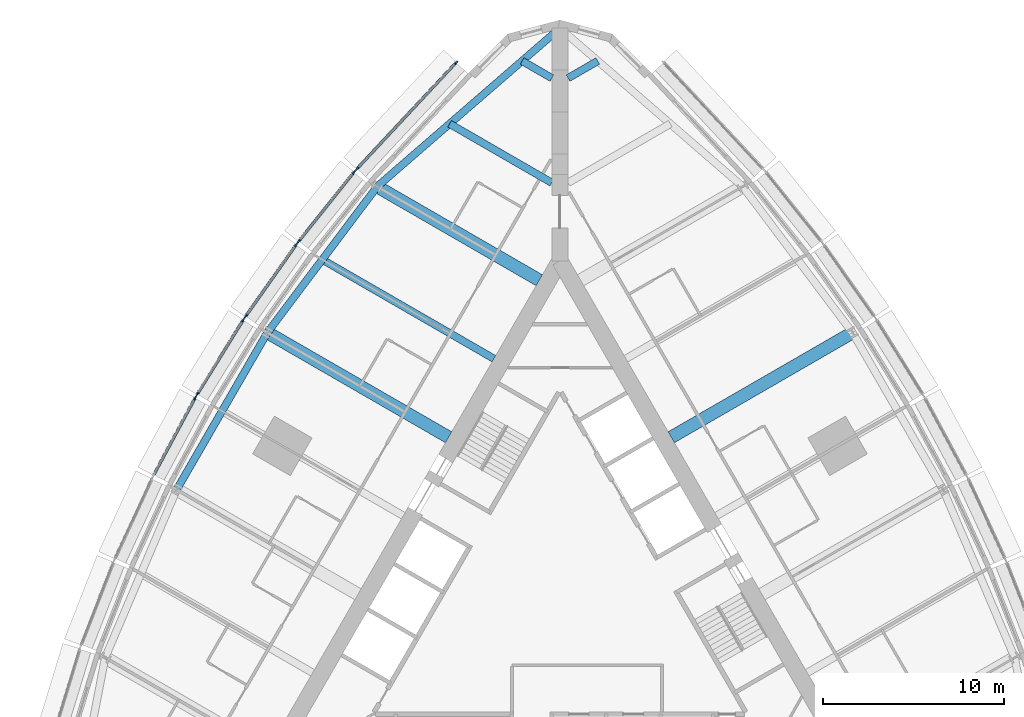
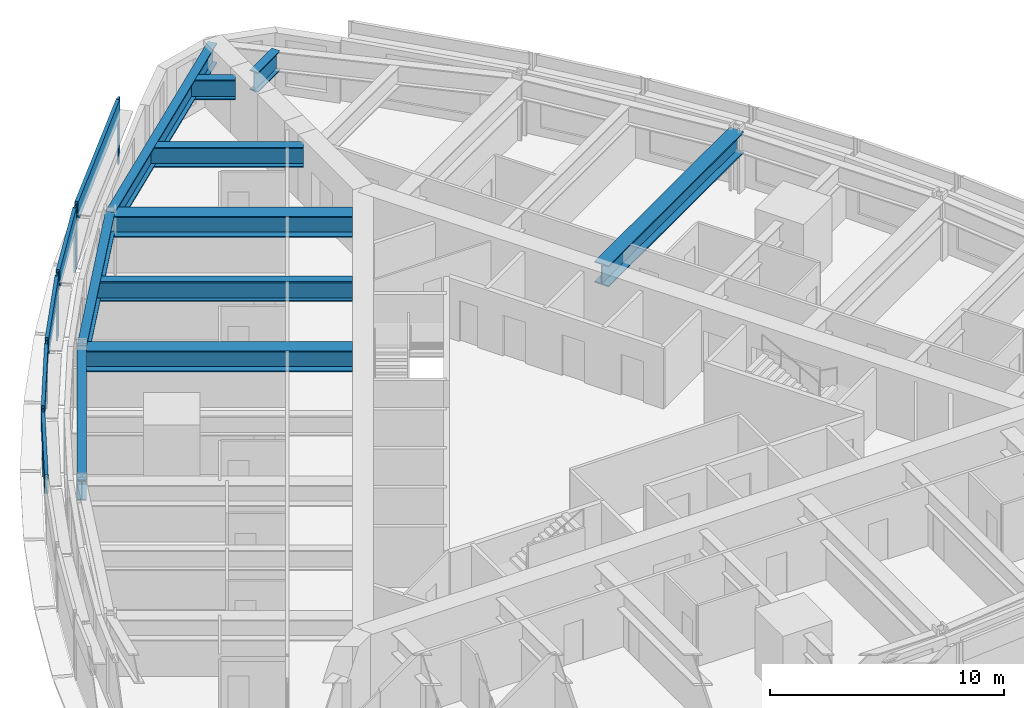
# One storey, part 4 of 14: 14 members, 10 beams, 5 elements without a shape of their own.
"""IFC4 building model written with IfcOpenShell, lengths in metres."""

import ifcopenshell
import ifcopenshell.guid

model = None  # the IFC model being written
_history = None  # IfcOwnerHistory: only IFC2X3 demands one
_inside = {}  # id of a spatial element -> (the spatial element, [elements in it])
_under = {}  # id of a project, library or spatial element -> (it, [spatial elements below it])
_declared = {}  # id of a project -> (the project, [libraries it declares])
_typed = {}  # id of a type object -> (the type object, [elements of that type])
_made_of = {}  # id of a material, layer set ... -> (it, [elements and type objects made of it])


def new_model(schema):
    """Start an empty IFC model of exactly this schema.

    Asked for "IFC4X3", IfcOpenShell would pick the latest addendum, in which some entities
    have other attributes; the version numbers below select the first issue.
    IFC2X3 requires an IfcOwnerHistory on every rooted entity: one is made here for all.
    """
    global model, _history
    if schema == "IFC4X3":
        model = ifcopenshell.file(schema_version=(4, 3, 0, 0))
    else:
        model = ifcopenshell.file(schema=schema)
    _inside.clear()
    _under.clear()
    _declared.clear()
    _typed.clear()
    _made_of.clear()
    _history = None
    if model.schema == "IFC2X3":
        org = make("IfcOrganization", Name="unknown")
        user = make(
            "IfcPersonAndOrganization",
            ThePerson=make("IfcPerson", FamilyName="unknown"),
            TheOrganization=org,
        )
        app = make(
            "IfcApplication",
            ApplicationDeveloper=org,
            Version="unknown",
            ApplicationFullName="unknown",
            ApplicationIdentifier="unknown",
        )
        _history = make(
            "IfcOwnerHistory",
            OwningUser=user,
            OwningApplication=app,
            ChangeAction="ADDED",
            CreationDate=0,
        )
    return model


def make(cls, **values):
    """One entity of the class cls with the attributes given. An attribute that is None is left unset."""
    return model.create_entity(
        cls, **{name: value for name, value in values.items() if value is not None}
    )


def rooted(cls, **values):
    """An entity with a GlobalId (a new one), such as an element, a storey or a relation."""
    return make(cls, GlobalId=ifcopenshell.guid.new(), OwnerHistory=_history, **values)


def si_unit(unit_type, name, prefix=None):
    """IfcSIUnit, for example si_unit("LENGTHUNIT", "METRE", prefix="MILLI")."""
    return make("IfcSIUnit", UnitType=unit_type, Prefix=prefix, Name=name)


def assignment(units):
    """IfcUnitAssignment: the units of a project."""
    return None if units is None else make("IfcUnitAssignment", Units=units)


def point(xyz):
    """IfcCartesianPoint."""
    return None if xyz is None else make("IfcCartesianPoint", Coordinates=xyz)


def direction(xyz):
    """IfcDirection."""
    return None if xyz is None else make("IfcDirection", DirectionRatios=xyz)


def frame(location, z_axis=None, x_axis=None):
    """IfcAxis2Placement3D, a coordinate frame: its origin and axes. An axis left out is left unset."""
    return make(
        "IfcAxis2Placement3D",
        Location=point(location),
        Axis=direction(z_axis),
        RefDirection=direction(x_axis),
    )


def frame_2d(location, x_axis=None):
    """IfcAxis2Placement2D, a coordinate frame in the plane: its origin and x axis."""
    return make(
        "IfcAxis2Placement2D", Location=point(location), RefDirection=direction(x_axis)
    )


def origin():
    """The frame at (0, 0, 0) with its axes left unset."""
    return frame((0.0, 0.0, 0.0))


def origin_2d():
    """The frame at (0, 0) in the plane with its x axis left unset."""
    return frame_2d((0.0, 0.0))


def place(relative_to, where):
    """IfcLocalPlacement: puts the frame where relative to a parent placement (None: the world)."""
    return make(
        "IfcLocalPlacement", PlacementRelTo=relative_to, RelativePlacement=where
    )


def context(
    kind, dimensions, precision=None, world=None, true_north=None, identifier=None
):
    """IfcGeometricRepresentationContext, for example the 3D "Model" context."""
    return make(
        "IfcGeometricRepresentationContext",
        ContextIdentifier=identifier,
        ContextType=kind,
        CoordinateSpaceDimension=dimensions,
        Precision=precision,
        WorldCoordinateSystem=world,
        TrueNorth=true_north,
    )


def subcontext(parent, identifier, kind, view, scale=None):
    """IfcGeometricRepresentationSubContext, for example "Body" below "Model"."""
    return make(
        "IfcGeometricRepresentationSubContext",
        ContextIdentifier=identifier,
        ContextType=kind,
        ParentContext=parent,
        TargetScale=scale,
        TargetView=view,
    )


def project(units=None, contexts=None):
    """IfcProject with its units and contexts."""
    return rooted(
        "IfcProject",
        Name="project",
        RepresentationContexts=contexts,
        UnitsInContext=assignment(units),
    )


def spatial(cls, under=None, at=None, **own):
    """A site, building, storey or space (cls), placed at a placement, below another one or the project."""
    s = rooted(cls, ObjectPlacement=at, **own)
    if under is not None:
        _under.setdefault(under.id(), (under, []))[1].append(s)
    return s


def profile(cls, at=None, kind="AREA", **sizes):
    """A parametric profile (cls). Its sizes go by their IFC names, for example OverallWidth=200.0."""
    return make(cls, ProfileType=kind, Position=at, **sizes)


def rectangle(**sizes):
    """IfcRectangleProfileDef."""
    return profile("IfcRectangleProfileDef", **sizes)


def i_section(**sizes):
    """IfcIShapeProfileDef."""
    return profile("IfcIShapeProfileDef", **sizes)


def extrude(swept, where, along, depth):
    """IfcExtrudedAreaSolid: the profile swept, set in the frame where, extruded along a direction by depth."""
    return make(
        "IfcExtrudedAreaSolid",
        SweptArea=swept,
        Position=where,
        ExtrudedDirection=direction(along),
        Depth=depth,
    )


def shape(context_of_items, identifier, shape_type, items):
    """IfcShapeRepresentation: the items that make up one representation, for example the "Body"."""
    return make(
        "IfcShapeRepresentation",
        ContextOfItems=context_of_items,
        RepresentationIdentifier=identifier,
        RepresentationType=shape_type,
        Items=items,
    )


def material(Name=None, Category=None):
    """IfcMaterial."""
    return make("IfcMaterial", Name=Name, Category=Category)


def material_profile(
    of_material, cross_section, Name=None, Category=None, Priority=None
):
    """IfcMaterialProfile: a cross section and its material."""
    return make(
        "IfcMaterialProfile",
        Name=Name,
        Material=of_material,
        Profile=cross_section,
        Priority=Priority,
        Category=Category,
    )


def profile_set(profiles, Name=None, composite=None):
    """IfcMaterialProfileSet."""
    return make(
        "IfcMaterialProfileSet",
        Name=Name,
        MaterialProfiles=profiles,
        CompositeProfile=composite,
    )


def made_of(thing, what):
    """Note that an element or type object is made of a material, layer set ...; save() writes the relation."""
    if what is not None:
        _made_of.setdefault(what.id(), (what, []))[1].append(thing)
    return thing


def type_object(cls, material=None, **own):
    """A type object (cls), such as IfcWallType, which elements share."""
    return made_of(rooted(cls, **own), material)


def element(
    cls,
    number,
    at=None,
    inside=None,
    cuts=None,
    type_object=None,
    material=None,
    context=None,
    identifier="Body",
    shape_type=None,
    held_by="IfcProductDefinitionShape",
    body=None,
    shapes=None,
    **own,
):
    """One element of the class cls, such as IfcWall. Its Tag is "e" and its number.

    at: its placement. inside: the storey or other place that contains it. cuts: it is an
    opening in that element (IfcRelVoidsElement). A single representation is given by context,
    identifier, shape_type and body (its items); several are given by shapes. held_by: the class
    of the entity that holds the representations. save() writes the other relations.
    """
    e = rooted(cls, Tag="e%d" % number, ObjectPlacement=at, **own)
    if body is not None:
        shapes = [shape(context, identifier, shape_type, body)]
    if shapes is not None:
        e.Representation = make(held_by, Representations=shapes)
    if inside is not None:
        _inside.setdefault(inside.id(), (inside, []))[1].append(e)
    if cuts is not None:
        rooted(
            "IfcRelVoidsElement", RelatingBuildingElement=cuts, RelatedOpeningElement=e
        )
    if type_object is not None:
        _typed.setdefault(type_object.id(), (type_object, []))[1].append(e)
    return made_of(e, material)


def aggregate(whole, parts):
    """IfcRelAggregates: a whole, such as a stair, and the parts it consists of."""
    return rooted("IfcRelAggregates", RelatingObject=whole, RelatedObjects=parts)


def save(model, path):
    """Write the relations noted so far, then the file.

    IfcRelAggregates (storeys below a building ...), IfcRelContainedInSpatialStructure (elements
    in a storey), IfcRelDefinesByType, IfcRelAssociatesMaterial and IfcRelDeclares: one each for
    every whole, place, type object, material and project.
    """
    for whole, parts in _under.values():
        aggregate(whole, parts)
    for where, things in _inside.values():
        rooted(
            "IfcRelContainedInSpatialStructure",
            RelatedElements=things,
            RelatingStructure=where,
        )
    for kind, things in _typed.values():
        rooted("IfcRelDefinesByType", RelatedObjects=things, RelatingType=kind)
    for what, things in _made_of.values():
        rooted("IfcRelAssociatesMaterial", RelatedObjects=things, RelatingMaterial=what)
    for by, libraries in _declared.values():
        rooted("IfcRelDeclares", RelatingContext=by, RelatedDefinitions=libraries)
    model.write(path)


model = new_model("IFC4")

# Units and contexts
model_context = context("Model", 3, precision=1e-05, world=origin(), true_north=direction((0.0, 1.0)))
body_context = subcontext(model_context, "Body", "Model", "MODEL_VIEW")
ifc_project = project(units=[si_unit("LENGTHUNIT", "METRE"), si_unit("AREAUNIT", "SQUARE_METRE"), si_unit("VOLUMEUNIT", "CUBIC_METRE"), si_unit("PLANEANGLEUNIT", "RADIAN"), si_unit("MASSUNIT", "GRAM", prefix="KILO")], contexts=[model_context])

# Site, building, storey
site_placement = place(None, origin())
site = spatial("IfcSite", under=ifc_project, at=site_placement, CompositionType="ELEMENT")
building_placement = place(site_placement, origin())
building = spatial("IfcBuilding", under=site, at=building_placement, Name="Trikona Tower", CompositionType="ELEMENT")
storey_placement = place(building_placement, frame((0.0, 0.0, 99.89990234375)))
storey = spatial("IfcBuildingStorey", under=building, at=storey_placement, Name="L26", CompositionType="ELEMENT", Elevation=99.89990234375)

# Curtain wall, members
ifc_material_1 = material(Name="Aluminium curtain wall system", Category="aluminium")
curtain_wall_type = type_object("IfcCurtainWallType", Name="Curtain wall DS1S", PredefinedType="NOTDEFINED", material=ifc_material_1)
curtain_wall_1_placement = place(storey_placement, origin())
curtain_wall_1 = element("IfcCurtainWall", 1, at=curtain_wall_1_placement, inside=storey, type_object=curtain_wall_type, Name="Curtain wall DS1S L26", PredefinedType="NOTDEFINED")
ifc_material_2 = material(Name="Aluminium mullion, pale anodised", Category="aluminium")
ifc_material_profile_1 = material_profile(ifc_material_2, rectangle(XDim=0.080078125, YDim=0.219970703125, at=origin_2d()), Name="MUL-DS1S")
ifc_profile_set_1 = profile_set([ifc_material_profile_1], Name="Aluminium mullion, pale anodised")
member_type_1 = type_object("IfcMemberType", Name="Mullion DS1S 80x220", PredefinedType="MULLION", material=ifc_profile_set_1)
member_1_placement = place(storey_placement, frame((-5.72607421875, 29.98583984375, 0.0), z_axis=(0.0, 0.0, 1.0), x_axis=(0.731076639405, -0.682295351967, 0.0)))
member_1 = element("IfcMember", 2, at=member_1_placement, type_object=member_type_1, Name="CW-DS1S mullion 1", PredefinedType="MULLION", context=body_context, shape_type="SweptSolid", body=[
    extrude(rectangle(XDim=0.080078125, YDim=0.219970703125, at=origin_2d()), origin(), (0.0, 0.0, 1.0), 3.400146484375),
])
member_2_placement = place(storey_placement, frame((-11.192138671875, 24.129150390625, 0.0), z_axis=(0.0, 0.0, 1.0), x_axis=(0.731076639405, -0.682295351967, 0.0)))
member_2 = element("IfcMember", 3, at=member_2_placement, type_object=member_type_1, Name="CW-DS1S mullion 2", PredefinedType="MULLION", context=body_context, shape_type="SweptSolid", body=[
    extrude(rectangle(XDim=0.080078125, YDim=0.219970703125, at=origin_2d()), origin(), (0.0, 0.0, 1.0), 3.400146484375),
])

curtain_wall_2_placement = place(storey_placement, origin())
curtain_wall_2 = element("IfcCurtainWall", 4, at=curtain_wall_2_placement, inside=storey, type_object=curtain_wall_type, Name="Curtain wall DS1S L26", PredefinedType="NOTDEFINED")
member_3_placement = place(storey_placement, frame((-11.36767578125, 23.926025390625, 0.0), z_axis=(0.0, 0.0, 1.0), x_axis=(0.780937959679, -0.624608599951, 0.0)))
member_3 = element("IfcMember", 5, at=member_3_placement, type_object=member_type_1, Name="CW-DS1S mullion 1", PredefinedType="MULLION", context=body_context, shape_type="SweptSolid", body=[
    extrude(rectangle(XDim=0.080078125, YDim=0.219970703125, at=origin_2d()), origin(), (0.0, 0.0, 1.0), 3.400146484375),
])
member_4_placement = place(storey_placement, frame((-14.40185546875, 20.13232421875, 0.0), z_axis=(0.0, 0.0, 1.0), x_axis=(0.780937959679, -0.624608599951, 0.0)))
member_4 = element("IfcMember", 6, at=member_4_placement, type_object=member_type_1, Name="CW-DS1S mullion 2", PredefinedType="MULLION", context=body_context, shape_type="SweptSolid", body=[
    extrude(rectangle(XDim=0.080078125, YDim=0.219970703125, at=origin_2d()), origin(), (0.0, 0.0, 1.0), 3.400146484375),
])

curtain_wall_3_placement = place(storey_placement, origin())
curtain_wall_3 = element("IfcCurtainWall", 7, at=curtain_wall_3_placement, inside=storey, type_object=curtain_wall_type, Name="Curtain wall DS1S L26", PredefinedType="NOTDEFINED")
member_5_placement = place(storey_placement, frame((-14.554443359375, 19.929443359375, 0.0), z_axis=(0.0, 0.0, 1.0), x_axis=(0.816985393055, -0.576658362928, 0.0)))
member_5 = element("IfcMember", 8, at=member_5_placement, type_object=member_type_1, Name="CW-DS1S mullion 1", PredefinedType="MULLION", context=body_context, shape_type="SweptSolid", body=[
    extrude(rectangle(XDim=0.080078125, YDim=0.219970703125, at=origin_2d()), origin(), (0.0, 0.0, 1.0), 3.400146484375),
])
member_6_placement = place(storey_placement, frame((-17.33447265625, 15.990966796875, 0.0), z_axis=(0.0, 0.0, 1.0), x_axis=(0.816985393055, -0.576658362928, 0.0)))
member_6 = element("IfcMember", 9, at=member_6_placement, type_object=member_type_1, Name="CW-DS1S mullion 2", PredefinedType="MULLION", context=body_context, shape_type="SweptSolid", body=[
    extrude(rectangle(XDim=0.080078125, YDim=0.219970703125, at=origin_2d()), origin(), (0.0, 0.0, 1.0), 3.400146484375),
])

curtain_wall_4_placement = place(storey_placement, origin())
curtain_wall_4 = element("IfcCurtainWall", 10, at=curtain_wall_4_placement, inside=storey, type_object=curtain_wall_type, Name="Curtain wall DS1S L26", PredefinedType="NOTDEFINED")
member_7_placement = place(storey_placement, frame((-17.474853515625, 15.77880859375, 0.0), z_axis=(0.0, 0.0, 1.0), x_axis=(0.850410468941, -0.526119790842, 0.0)))
member_7 = element("IfcMember", 11, at=member_7_placement, type_object=member_type_1, Name="CW-DS1S mullion 1", PredefinedType="MULLION", context=body_context, shape_type="SweptSolid", body=[
    extrude(rectangle(XDim=0.080078125, YDim=0.219970703125, at=origin_2d()), origin(), (0.0, 0.0, 1.0), 3.400146484375),
])
member_8_placement = place(storey_placement, frame((-20.00146484375, 11.69482421875, 0.0), z_axis=(0.0, 0.0, 1.0), x_axis=(0.850410468941, -0.526119790842, 0.0)))
member_8 = element("IfcMember", 12, at=member_8_placement, type_object=member_type_1, Name="CW-DS1S mullion 2", PredefinedType="MULLION", context=body_context, shape_type="SweptSolid", body=[
    extrude(rectangle(XDim=0.080078125, YDim=0.219970703125, at=origin_2d()), origin(), (0.0, 0.0, 1.0), 3.400146484375),
])

# Curtain wall, member
curtain_wall_5_placement = place(storey_placement, origin())
curtain_wall_5 = element("IfcCurtainWall", 13, at=curtain_wall_5_placement, inside=storey, type_object=curtain_wall_type, Name="Curtain wall DS1S L26", PredefinedType="NOTDEFINED")
member_9_placement = place(storey_placement, frame((-20.128662109375, 11.474365234375, 0.0), z_axis=(0.0, 0.0, 1.0), x_axis=(0.880843080975, -0.473408350896, 0.0)))
member_9 = element("IfcMember", 14, at=member_9_placement, type_object=member_type_1, Name="CW-DS1S mullion 1", PredefinedType="MULLION", context=body_context, shape_type="SweptSolid", body=[
    extrude(rectangle(XDim=0.080078125, YDim=0.219970703125, at=origin_2d()), origin(), (0.0, 0.0, 1.0), 3.400146484375),
])

# Beams
ifc_material_3 = material(Name="Steel ASTM A992 Grade 50", Category="steel")
ifc_material_profile_2 = material_profile(ifc_material_3, i_section(OverallWidth=0.699951171875, OverallDepth=1.10009765625, WebThickness=0.0400390625, FlangeThickness=0.06005859375, at=origin_2d()), Name="PG1100X700")
ifc_profile_set_2 = profile_set([ifc_material_profile_2], Name="Steel ASTM A992 Grade 50")
beam_type_1 = type_object("IfcBeamType", Name="Steel beam PG1100x700 (belt chord radial)", PredefinedType="BEAM", material=ifc_profile_set_2)
beam_1_placement = place(storey_placement, frame((6.1396484375, 9.318359375, 2.60009765625), z_axis=(0.866029923217, 0.499992172032, 0.0), x_axis=(-0.499992172032, 0.866029923217, 0.0)))
element("IfcBeam", 15, at=beam_1_placement, inside=storey, type_object=beam_type_1, Name="Floor beam L27 F2 u5", PredefinedType="BEAM", context=body_context, shape_type="SweptSolid", body=[
    extrude(i_section(OverallWidth=0.699951171875, OverallDepth=1.10009765625, WebThickness=0.0400390625, FlangeThickness=0.06005859375, at=origin_2d()), origin(), (0.0, 0.0, 1.0), 11.544189453125),
])
beam_2_placement = place(storey_placement, frame((-1.1396484375, 17.978515625, 2.60009765625), z_axis=(-0.866030471684, 0.499991222037, 0.0), x_axis=(-0.499991222037, -0.866030471684, 0.0)))
element("IfcBeam", 16, at=beam_2_placement, inside=storey, type_object=beam_type_1, Name="Floor beam L27 F3 u-15", PredefinedType="BEAM", context=body_context, shape_type="SweptSolid", body=[
    extrude(i_section(OverallWidth=0.699951171875, OverallDepth=1.10009765625, WebThickness=0.0400390625, FlangeThickness=0.06005859375, at=origin_2d()), origin(), (0.0, 0.0, 1.0), 10.326904296875),
])
beam_3_placement = place(storey_placement, frame((-6.1396484375, 9.318359375, 2.60009765625), z_axis=(-0.866029923217, 0.499992172032, 0.0), x_axis=(-0.499992172032, -0.866029923217, 0.0)))
element("IfcBeam", 17, at=beam_3_placement, inside=storey, type_object=beam_type_1, Name="Floor beam L27 F3 u-5", PredefinedType="BEAM", context=body_context, shape_type="SweptSolid", body=[
    extrude(i_section(OverallWidth=0.699951171875, OverallDepth=1.10009765625, WebThickness=0.0400390625, FlangeThickness=0.06005859375, at=origin_2d()), origin(), (0.0, 0.0, 1.0), 11.544189453125),
])
ifc_material_4 = material(Name="Steel ASTM A992 Grade 50", Category="steel")
ifc_material_profile_3 = material_profile(ifc_material_4, i_section(OverallWidth=0.408935546875, OverallDepth=1.04150390625, WebThickness=0.031005859375, FlangeThickness=0.055908203125, at=origin_2d()), Name="W40X397")
ifc_profile_set_3 = profile_set([ifc_material_profile_3], Name="Steel ASTM A992 Grade 50")
beam_type_2 = type_object("IfcBeamType", Name="Steel beam W40x397 (plant spandrel)", PredefinedType="SPANDREL", material=ifc_profile_set_3)
beam_4_placement = place(storey_placement, frame((0.0, 31.881591796875, 2.62939453125), z_axis=(-0.755646822726, -0.654979296851, 0.0), x_axis=(0.654979296851, -0.755646822726, 0.0)))
element("IfcBeam", 18, at=beam_4_placement, inside=storey, type_object=beam_type_2, Name="Spandrel beam L27 F3-1", PredefinedType="SPANDREL", context=body_context, shape_type="SweptSolid", body=[
    extrude(i_section(OverallWidth=0.408935546875, OverallDepth=1.04150390625, WebThickness=0.031005859375, FlangeThickness=0.055908203125, at=origin_2d()), origin(), (0.0, 0.0, 1.0), 13.343505859375),
])
beam_5_placement = place(storey_placement, frame((-10.0830078125, 23.141845703125, 2.62939453125), z_axis=(-0.600988344191, -0.799257787042, 0.0), x_axis=(0.799257787042, -0.600988344191, 0.0)))
element("IfcBeam", 19, at=beam_5_placement, inside=storey, type_object=beam_type_2, Name="Spandrel beam L27 F3-2", PredefinedType="SPANDREL", context=body_context, shape_type="SweptSolid", body=[
    extrude(i_section(OverallWidth=0.408935546875, OverallDepth=1.04150390625, WebThickness=0.031005859375, FlangeThickness=0.055908203125, at=origin_2d()), origin(), (0.0, 0.0, 1.0), 10.07373046875),
])
beam_6_placement = place(storey_placement, frame((-16.13720703125, 15.09033203125, 2.62939453125), z_axis=(-0.500004234368, -0.866022959057, 0.0), x_axis=(0.866022959057, -0.500004234368, 0.0)))
element("IfcBeam", 20, at=beam_6_placement, inside=storey, type_object=beam_type_2, Name="Spandrel beam L27 F3-3", PredefinedType="SPANDREL", context=body_context, shape_type="SweptSolid", body=[
    extrude(i_section(OverallWidth=0.408935546875, OverallDepth=1.04150390625, WebThickness=0.031005859375, FlangeThickness=0.055908203125, at=origin_2d()), origin(), (0.0, 0.0, 1.0), 10.0),
])
ifc_material_5 = material(Name="Steel ASTM A992 Grade 50", Category="steel")
ifc_material_profile_4 = material_profile(ifc_material_5, i_section(OverallWidth=0.408935546875, OverallDepth=1.04150390625, WebThickness=0.031005859375, FlangeThickness=0.055908203125, at=origin_2d()), Name="W40X397")
ifc_profile_set_4 = profile_set([ifc_material_profile_4], Name="Steel ASTM A992 Grade 50")
beam_type_3 = type_object("IfcBeamType", Name="Steel beam W40x397 (plant)", PredefinedType="BEAM", material=ifc_profile_set_4)
beam_7_placement = place(storey_placement, frame((-3.6396484375, 13.6484375, 2.62939453125), z_axis=(-0.866025348605, 0.500000095573, 0.0), x_axis=(-0.500000095573, -0.866025348605, 0.0)))
element("IfcBeam", 21, at=beam_7_placement, inside=storey, type_object=beam_type_3, Name="Floor beam L27 F3 u-10", PredefinedType="BEAM", context=body_context, shape_type="SweptSolid", body=[
    extrude(i_section(OverallWidth=0.408935546875, OverallDepth=1.04150390625, WebThickness=0.031005859375, FlangeThickness=0.055908203125, at=origin_2d()), origin(), (0.0, 0.0, 1.0), 10.935546875),
])
ifc_material_6 = material(Name="Steel ASTM A992 Grade 50", Category="steel")
ifc_material_profile_5 = material_profile(ifc_material_6, i_section(OverallWidth=0.411376953125, OverallDepth=1.049072265625, WebThickness=0.033935546875, FlangeThickness=0.06005859375, at=origin_2d()), Name="W40X431")
ifc_profile_set_5 = profile_set([ifc_material_profile_5], Name="Steel ASTM A992 Grade 50")
beam_type_4 = type_object("IfcBeamType", Name="Steel beam W40x431 (plant wedge)", PredefinedType="BEAM", material=ifc_profile_set_5)
for number, where, z_axis, x_axis, name in (
    (22, (0.449951171875, 29.127197265625, 2.62548828125), (0.866009237431, 0.5000279999, 0.0), (-0.5000279999, 0.866009237431, 0.0), "Floor beam L27 F2 u25"),
    (23, (-0.449951171875, 29.127197265625, 2.62548828125), (-0.866009237431, 0.5000279999, 0.0), (-0.5000279999, -0.866009237431, 0.0), "Floor beam L27 F3 u-25"),
):
    element("IfcBeam", number, at=place(storey_placement, frame(where, z_axis=z_axis, x_axis=x_axis)), inside=storey, type_object=beam_type_4, Name=name, PredefinedType="BEAM", context=body_context, shape_type="SweptSolid", body=[
        extrude(i_section(OverallWidth=0.411376953125, OverallDepth=1.049072265625, WebThickness=0.033935546875, FlangeThickness=0.06005859375, at=origin_2d()), origin(), (0.0, 0.0, 1.0), 1.890625),
    ])
beam_8_placement = place(storey_placement, frame((-0.449951171875, 23.353759765625, 2.62548828125), z_axis=(-0.866022504693, 0.50000502134, 0.0), x_axis=(-0.50000502134, -0.866022504693, 0.0)))
element("IfcBeam", 24, at=beam_8_placement, inside=storey, type_object=beam_type_4, Name="Floor beam L27 F3 u-20", PredefinedType="BEAM", context=body_context, shape_type="SweptSolid", body=[
    extrude(i_section(OverallWidth=0.411376953125, OverallDepth=1.049072265625, WebThickness=0.033935546875, FlangeThickness=0.06005859375, at=origin_2d()), origin(), (0.0, 0.0, 1.0), 6.5068359375),
])

# Member
ifc_material_7 = material(Name="Aluminium transom, pale anodised", Category="aluminium")
ifc_material_profile_6 = material_profile(ifc_material_7, rectangle(XDim=0.159912109375, YDim=1.0, at=origin_2d()), Name="TRN-DS1S")
ifc_profile_set_6 = profile_set([ifc_material_profile_6], Name="Aluminium transom, pale anodised")
member_type_2 = type_object("IfcMemberType", Name="Transom DS1S 1000x160", PredefinedType="USERDEFINED", material=ifc_profile_set_6)
member_10_placement = place(storey_placement, frame((-5.75341796875, 29.95654296875, 2.900146484375), z_axis=(-0.682290830921, -0.731080858758, 0.0), x_axis=(0.731080858758, -0.682290830921, 0.0)))
member_10 = element("IfcMember", 25, at=member_10_placement, type_object=member_type_2, Name="CW-DS1S transom 1.1", ObjectType="TRANSOM", PredefinedType="USERDEFINED", context=body_context, shape_type="SweptSolid", body=[
    extrude(rectangle(XDim=0.159912109375, YDim=1.0, at=origin_2d()), origin(), (0.0, 0.0, 1.0), 7.93115234375),
])

aggregate(curtain_wall_1, [member_1, member_2, member_10])

member_11_placement = place(storey_placement, frame((-11.392822265625, 23.894775390625, 2.900146484375), z_axis=(-0.624589103832, -0.780953552636, 0.0), x_axis=(0.780953552636, -0.624589103832, 0.0)))
member_11 = element("IfcMember", 26, at=member_11_placement, type_object=member_type_2, Name="CW-DS1S transom 1.1", ObjectType="TRANSOM", PredefinedType="USERDEFINED", context=body_context, shape_type="SweptSolid", body=[
    extrude(rectangle(XDim=0.159912109375, YDim=1.0, at=origin_2d()), origin(), (0.0, 0.0, 1.0), 4.77783203125),
])

aggregate(curtain_wall_2, [member_3, member_4, member_11])

member_12_placement = place(storey_placement, frame((-14.57763671875, 19.896728515625, 2.900146484375), z_axis=(-0.57664478015, -0.816994980111, 0.0), x_axis=(0.816994980111, -0.57664478015, 0.0)))
member_12 = element("IfcMember", 27, at=member_12_placement, type_object=member_type_2, Name="CW-DS1S transom 1.1", ObjectType="TRANSOM", PredefinedType="USERDEFINED", context=body_context, shape_type="SweptSolid", body=[
    extrude(rectangle(XDim=0.159912109375, YDim=1.0, at=origin_2d()), origin(), (0.0, 0.0, 1.0), 4.740478515625),
])

aggregate(curtain_wall_3, [member_5, member_6, member_12])

member_13_placement = place(storey_placement, frame((-17.495849609375, 15.744873046875, 2.900146484375), z_axis=(-0.526080502257, -0.850434774186, 0.0), x_axis=(0.850434774186, -0.526080502257, 0.0)))
member_13 = element("IfcMember", 28, at=member_13_placement, type_object=member_type_2, Name="CW-DS1S transom 1.1", ObjectType="TRANSOM", PredefinedType="USERDEFINED", context=body_context, shape_type="SweptSolid", body=[
    extrude(rectangle(XDim=0.159912109375, YDim=1.0, at=origin_2d()), origin(), (0.0, 0.0, 1.0), 4.722412109375),
])

aggregate(curtain_wall_4, [member_7, member_8, member_13])

member_14_placement = place(storey_placement, frame((-20.147705078125, 11.43896484375, 2.900146484375), z_axis=(-0.473427569755, -0.880832751546, 0.0), x_axis=(0.880832751546, -0.473427569755, 0.0)))
member_14 = element("IfcMember", 29, at=member_14_placement, type_object=member_type_2, Name="CW-DS1S transom 1.1", ObjectType="TRANSOM", PredefinedType="USERDEFINED", context=body_context, shape_type="SweptSolid", body=[
    extrude(rectangle(XDim=0.159912109375, YDim=1.0, at=origin_2d()), origin(), (0.0, 0.0, 1.0), 4.72216796875),
])

aggregate(curtain_wall_5, [member_9, member_14])

save(model, "model.ifc")
